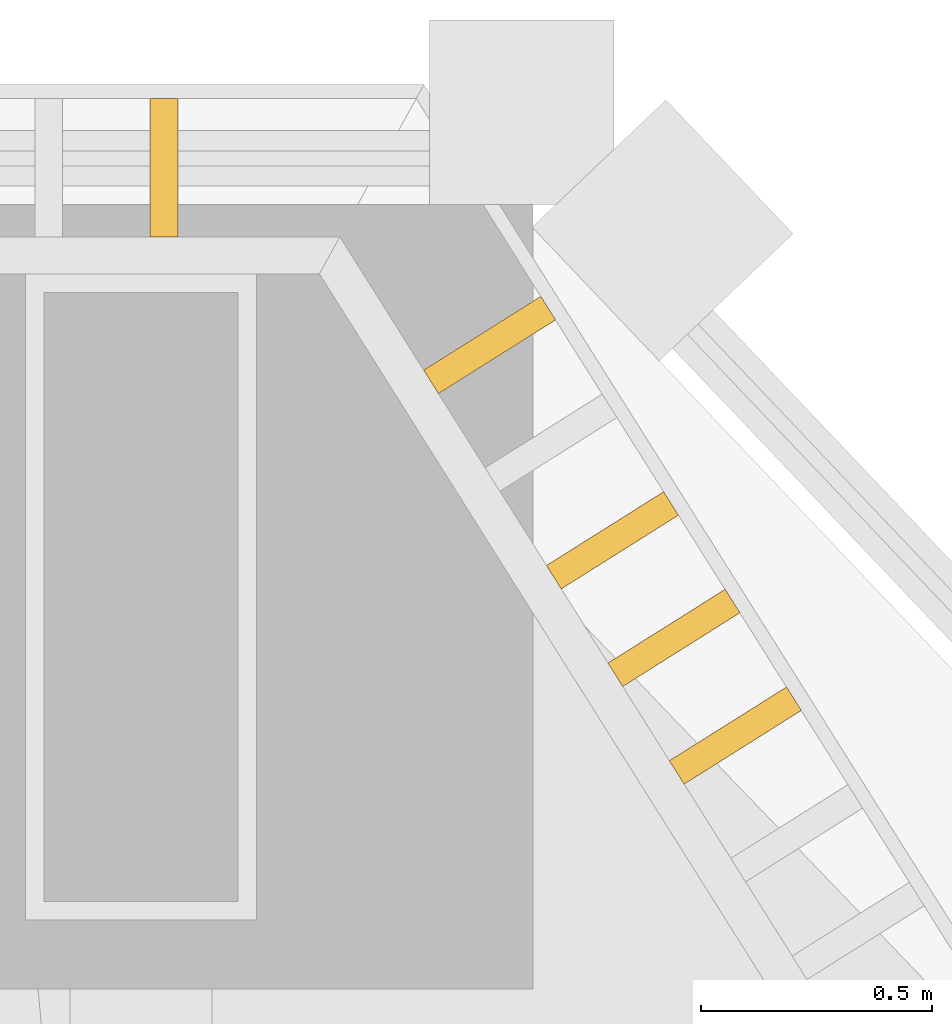
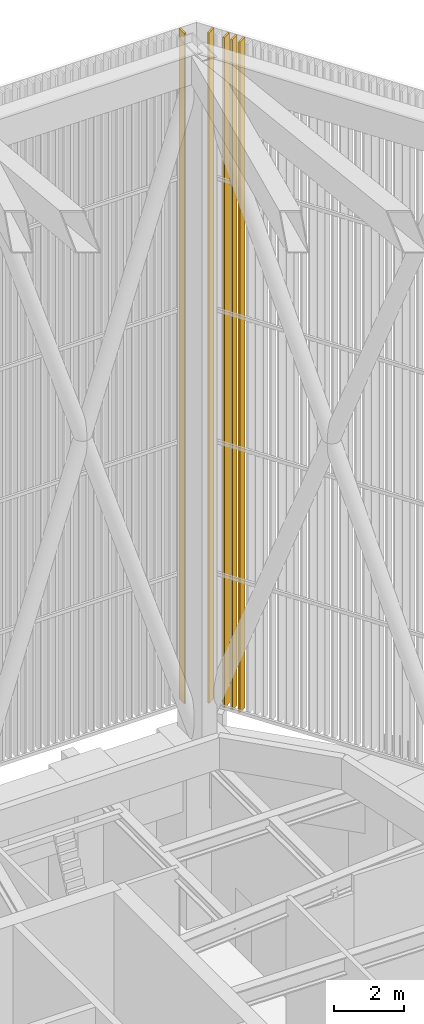
# One storey, part 15 of 15: 5 shading devices.
"""IFC4 building model written with IfcOpenShell, lengths in metres."""

from ifc_helpers import new_model, si_unit, direction, frame, origin, origin_2d, place, context, subcontext, project, spatial, rectangle, extrude, material, material_profile, profile_set, type_object, element, save


model = new_model("IFC4")

# Units and contexts
model_context = context("Model", 3, precision=1e-05, world=origin(), true_north=direction((0.0, 1.0)))
body_context = subcontext(model_context, "Body", "Model", "MODEL_VIEW")
ifc_project = project(units=[si_unit("LENGTHUNIT", "METRE"), si_unit("AREAUNIT", "SQUARE_METRE"), si_unit("VOLUMEUNIT", "CUBIC_METRE"), si_unit("PLANEANGLEUNIT", "RADIAN"), si_unit("MASSUNIT", "GRAM", prefix="KILO")], contexts=[model_context])

# Site, building, storey
site_placement = place(None, origin())
site = spatial("IfcSite", under=ifc_project, at=site_placement, CompositionType="ELEMENT")
building_placement = place(site_placement, origin())
building = spatial("IfcBuilding", under=site, at=building_placement, Name="Isbrekke Arena Tower", CompositionType="ELEMENT")
storey_placement = place(building_placement, frame((0.0, 0.0, 324.0)))
storey = spatial("IfcBuildingStorey", under=building, at=storey_placement, Name="L76", CompositionType="ELEMENT", Elevation=324.0)

# Shading devices
ifc_material = material(Name="Pre-patinated copper on aluminium core", Category="aluminium")
ifc_material_profile = material_profile(ifc_material, rectangle(XDim=0.06005859375, YDim=0.300048828125, at=origin_2d()), Name="FIN 60X300")
ifc_profile_set = profile_set([ifc_material_profile], Name="Pre-patinated copper on aluminium core")
shading_device_type = type_object("IfcShadingDeviceType", Name="CR1 CROWN FIN 60 x 300", PredefinedType="USERDEFINED", material=ifc_profile_set)
for number, where, z_axis, x_axis, name in (
    (1, (20.863037109375, 28.874267578125, 6.60009765625), (0.0, 0.0, 1.0), (-0.532528793806, 0.846411887775, 0.0), "CR1 crown fin D31"),
    (2, (20.72998046875, 29.0859375, 6.60009765625), (0.0, 0.0, 1.0), (-0.532528793806, 0.846411887775, 0.0), "CR1 crown fin D32"),
    (3, (20.5966796875, 29.29736328125, 6.60009765625), (0.0, 0.0, 1.0), (-0.532528793806, 0.846411887775, 0.0), "CR1 crown fin D33"),
    (4, (20.33056640625, 29.720703125, 6.60009765625), (0.0, 0.0, 1.0), (-0.532528793806, 0.846411887775, 0.0), "CR1 crown fin D35"),
    (5, (19.625, 30.10498046875, 6.60009765625), (0.0, 0.0, 1.0), (-1.0, 0.0, 0.0), "CR1 crown fin E1"),
):
    element("IfcShadingDevice", number, at=place(storey_placement, frame(where, z_axis=z_axis, x_axis=x_axis)), inside=storey, type_object=shading_device_type, Name=name, ObjectType="CROWN FIN", PredefinedType="USERDEFINED", context=body_context, shape_type="SweptSolid", body=[
        extrude(rectangle(XDim=0.06005859375, YDim=0.300048828125, at=origin_2d()), origin(), (0.0, 0.0, 1.0), 23.39990234375),
    ])

save(model, "model.ifc")
